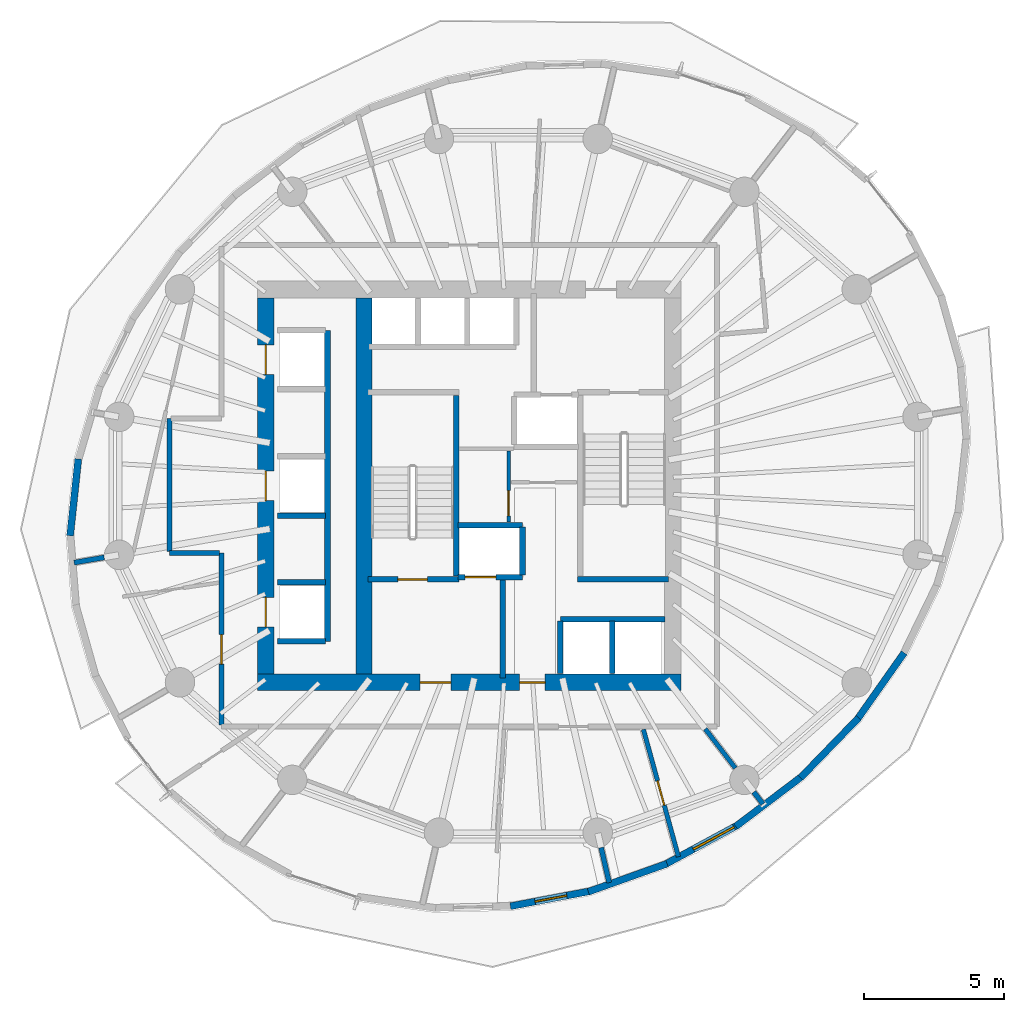
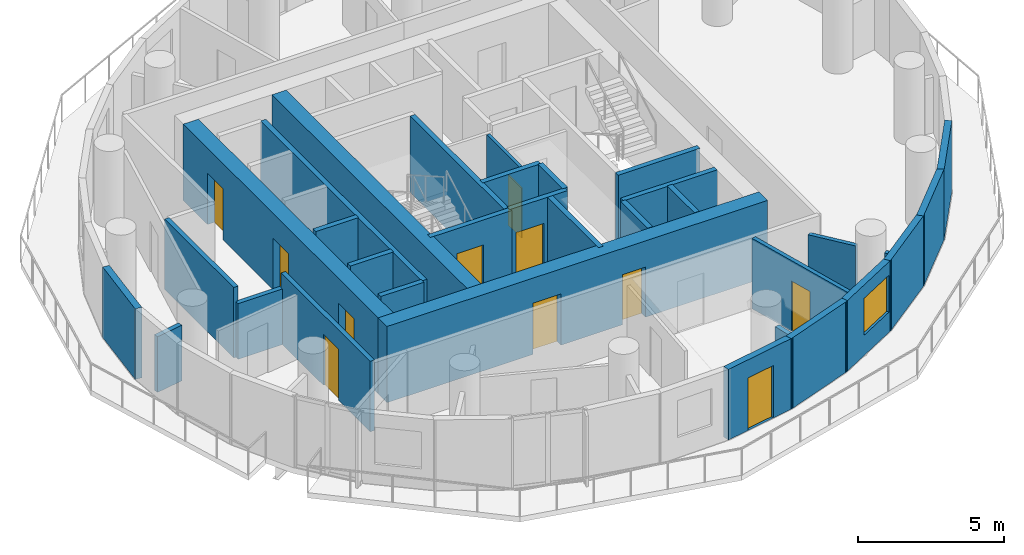
# One storey, part 5 of 12: 33 walls, 11 doors, 1 window, 12 openings.
"""IFC4 building model written with IfcOpenShell, lengths in metres."""

from ifc_helpers import new_model, si_unit, direction, frame, frame_2d, origin, place, context, subcontext, project, spatial, rectangle, extrude, material, layer, layer_set, type_object, element, fill, save


model = new_model("IFC4")

# Units and contexts
model_context = context("Model", 3, precision=1e-05, world=origin(), true_north=direction((0.0, 1.0)))
body_context = subcontext(model_context, "Body", "Model", "MODEL_VIEW")
ifc_project = project(units=[si_unit("LENGTHUNIT", "METRE"), si_unit("AREAUNIT", "SQUARE_METRE"), si_unit("VOLUMEUNIT", "CUBIC_METRE"), si_unit("PLANEANGLEUNIT", "RADIAN"), si_unit("MASSUNIT", "GRAM", prefix="KILO")], contexts=[model_context])

# Site, building, storey
site_placement = place(None, origin())
site = spatial("IfcSite", under=ifc_project, at=site_placement, CompositionType="ELEMENT")
building_placement = place(site_placement, origin())
building = spatial("IfcBuilding", under=site, at=building_placement, Name="Veldorim Arch Residences", CompositionType="ELEMENT")
storey_placement = place(building_placement, frame((0.0, 0.0, 132.9599609375)))
storey = spatial("IfcBuildingStorey", under=building, at=storey_placement, Name="L39", CompositionType="ELEMENT", Elevation=132.9599609375)

# Wall, opening, door
ifc_material_1 = material(Name="Acoustic Gypsum Board", Category="gypsum")
ifc_layer_1 = layer(ifc_material_1, 0.125, Name="Acoustic Stud Room Partition Wall 125")
ifc_layer_set_1 = layer_set([ifc_layer_1], Name="Acoustic Gypsum Board")
wall_type_1 = type_object("IfcWallType", Name="Acoustic Stud Room Partition Wall 125", PredefinedType="PARTITIONING", material=ifc_layer_set_1)
wall_1_placement = place(storey_placement, frame((31.64990234375, 22.719970703125, 0.0), z_axis=(0.0, 0.0, 1.0), x_axis=(0.0, 1.0, 0.0)))
wall_1 = element("IfcWall", 1, at=wall_1_placement, inside=storey, type_object=wall_type_1, Name="L39 interior wall WL-CA-L39-1", PredefinedType="PARTITIONING", context=body_context, shape_type="SweptSolid", body=[
    extrude(rectangle(XDim=2.52001953125, YDim=0.125, at=frame_2d((1.260009765625, 0.0))), origin(), (0.0, 0.0, 1.0), 2.955078125),
])
opening_1_placement = place(wall_1_placement, frame((0.2099609375, 0.0, 0.0)))
opening_1 = element("IfcOpeningElement", 2, at=opening_1_placement, cuts=wall_1, Name="Opening DR-SVC", PredefinedType="OPENING", context=body_context, shape_type="SweptSolid", body=[
    extrude(rectangle(XDim=0.89990234375, YDim=2.10009765625, at=frame_2d((0.449951171875, 1.050048828125))), frame((0.0, 0.072509765625, 0.0), z_axis=(0.0, -1.0, 0.0), x_axis=(1.0, 0.0, 0.0)), (0.0, 0.0, 1.0), 0.14501953125),
])
ifc_material_2 = material(Name="Fire-Rated Steel", Category="steel")
door_type_1 = type_object("IfcDoorType", Name="Riser, Shelter & Plant Room Rated Steel Door 900x2100", OperationType="SINGLE_SWING_LEFT", PredefinedType="DOOR", material=ifc_material_2)
door_1_placement = place(opening_1_placement, origin())
door_1 = element("IfcDoor", 3, at=door_1_placement, inside=storey, type_object=door_type_1, Name="L39 interior door DR-L39-CA1", OperationType="SINGLE_SWING_LEFT", OverallHeight=2.10009765625, OverallWidth=0.89990234375, PredefinedType="DOOR", context=body_context, shape_type="SweptSolid", body=[
    extrude(rectangle(XDim=0.89990234375, YDim=2.10009765625, at=frame_2d((0.449951171875, 1.050048828125))), frame((0.0, 0.02490234375, 0.0), z_axis=(0.0, -1.0, 0.0), x_axis=(1.0, 0.0, 0.0)), (0.0, 0.0, 1.0), 0.050048828125),
])
fill(opening_1, door_1)

# Walls
ifc_material_3 = material(Name="Lightweight Masonry Block & Gypsum", Category="masonry")
ifc_layer_2 = layer(ifc_material_3, 0.179931640625, Name="Compartment & Corridor Fire-Rated Party Wall 180")
ifc_layer_set_2 = layer_set([ifc_layer_2], Name="Lightweight Masonry Block & Gypsum")
wall_type_2 = type_object("IfcWallType", Name="Compartment & Corridor Fire-Rated Party Wall 180", PredefinedType="PARTITIONING", material=ifc_layer_set_2)
wall_2_placement = place(storey_placement, frame((17.24169921875, 21.44921875, 0.0), z_axis=(0.0, 0.0, 1.0), x_axis=(-0.985361391556, -0.170478526599, 0.0)))
element("IfcWall", 4, at=wall_2_placement, inside=storey, type_object=wall_type_2, Name="L39 interior wall WL-PIER-L39-09", PredefinedType="PARTITIONING", context=body_context, shape_type="SweptSolid", body=[
    extrude(rectangle(XDim=1.0869140625, YDim=0.179931640625, at=frame_2d((0.54345703125, 0.0))), origin(), (0.0, 0.0, 1.0), 2.3359375),
])
wall_3_placement = place(storey_placement, frame((34.950439453125, 11.11083984375, 0.0), z_axis=(0.0, 0.0, 1.0), x_axis=(0.223093561241, -0.974797036789, 0.0)))
element("IfcWall", 5, at=wall_3_placement, inside=storey, type_object=wall_type_2, Name="L39 interior wall WL-PIER-L39-13", PredefinedType="PARTITIONING", context=body_context, shape_type="SweptSolid", body=[
    extrude(rectangle(XDim=1.282470703125, YDim=0.179931640625, at=frame_2d((0.64111328125, 0.0))), origin(), (0.0, 0.0, 1.0), 2.3359375),
])
wall_4_placement = place(storey_placement, frame((40.387939453125, 13.091552734375, 0.0), z_axis=(0.0, 0.0, 1.0), x_axis=(0.609469486836, -0.792809526063, 0.0)))
element("IfcWall", 6, at=wall_4_placement, inside=storey, type_object=wall_type_2, Name="L39 interior wall WL-PIER-L39-14", PredefinedType="PARTITIONING", context=body_context, shape_type="SweptSolid", body=[
    extrude(rectangle(XDim=0.5380859375, YDim=0.179931640625, at=frame_2d((0.26904296875, 0.0))), origin(), (0.0, 0.0, 1.0), 2.3359375),
])

# Wall, opening, door
wall_5_placement = place(storey_placement, frame((21.419921875, 15.47998046875, 0.0), z_axis=(0.0, 0.0, 1.0), x_axis=(0.0, 1.0, 0.0)))
wall_5 = element("IfcWall", 7, at=wall_5_placement, inside=storey, type_object=wall_type_2, Name="L39 interior wall WL-RES-L39-006", PredefinedType="PARTITIONING", context=body_context, shape_type="SweptSolid", body=[
    extrude(rectangle(XDim=6.1201171875, YDim=0.179931640625, at=frame_2d((3.06005859375, 0.0))), origin(), (0.0, 0.0, 1.0), 2.955078125),
])
opening_2_placement = place(wall_5_placement, frame((2.166748046875, 0.0, 0.0)))
opening_2 = element("IfcOpeningElement", 8, at=opening_2_placement, cuts=wall_5, Name="Opening DR-FLT", PredefinedType="OPENING", context=body_context, shape_type="SweptSolid", body=[
    extrude(rectangle(XDim=1.050048828125, YDim=2.14990234375, at=frame_2d((0.52490234375, 1.074951171875))), frame((0.0, 0.099853515625, 0.0), z_axis=(0.0, -1.0, 0.0), x_axis=(1.0, 0.0, 0.0)), (0.0, 0.0, 1.0), 0.199951171875),
])
ifc_material_4 = material(Name="Fire-Rated Timber", Category="wood")
door_type_2 = type_object("IfcDoorType", Name="Apartment Entrance Solid-Core Fire Door 1050x2150", OperationType="SINGLE_SWING_LEFT", PredefinedType="DOOR", material=ifc_material_4)
door_2_placement = place(opening_2_placement, origin())
door_2 = element("IfcDoor", 9, at=door_2_placement, inside=storey, type_object=door_type_2, Name="L39 interior door DR-RES-L39-011", OperationType="SINGLE_SWING_LEFT", OverallHeight=2.14990234375, OverallWidth=1.050048828125, PredefinedType="DOOR", context=body_context, shape_type="SweptSolid", body=[
    extrude(rectangle(XDim=1.050048828125, YDim=2.14990234375, at=frame_2d((0.52490234375, 1.074951171875))), frame((0.0, 0.02490234375, 0.0), z_axis=(0.0, -1.0, 0.0), x_axis=(1.0, 0.0, 0.0)), (0.0, 0.0, 1.0), 0.050048828125),
])
fill(opening_2, door_2)

# Walls
wall_6_placement = place(storey_placement, frame((21.360107421875, 21.60009765625, 0.0), z_axis=(0.0, 0.0, 1.0), x_axis=(-1.0, 0.0, 0.0)))
element("IfcWall", 10, at=wall_6_placement, inside=storey, type_object=wall_type_2, Name="L39 interior wall WL-RES-L39-007", PredefinedType="PARTITIONING", context=body_context, shape_type="SweptSolid", body=[
    extrude(rectangle(XDim=1.7900390625, YDim=0.179931640625, at=frame_2d((0.89501953125, 0.0))), origin(), (0.0, 0.0, 1.0), 2.3359375),
])
wall_7_placement = place(storey_placement, frame((19.570068359375, 21.659912109375, 0.0), z_axis=(0.0, 0.0, 1.0), x_axis=(0.0, 1.0, 0.0)))
element("IfcWall", 11, at=wall_7_placement, inside=storey, type_object=wall_type_2, Name="L39 interior wall WL-RES-L39-008", PredefinedType="PARTITIONING", context=body_context, shape_type="SweptSolid", body=[
    extrude(rectangle(XDim=4.739990234375, YDim=0.179931640625, at=frame_2d((2.3701171875, 0.0))), origin(), (0.0, 0.0, 1.0), 2.955078125),
])
ifc_material_5 = material(Name="Concrete C50/60", Category="concrete")
ifc_layer_3 = layer(ifc_material_5, 0.199951171875, Name="Core Stair & Lift Shaft Enclosure Wall 200")
ifc_layer_set_3 = layer_set([ifc_layer_3], Name="Concrete C50/60")
wall_type_3 = type_object("IfcWallType", Name="Core Stair & Lift Shaft Enclosure Wall 200", PredefinedType="SHEAR", material=ifc_layer_set_3)
wall_8_placement = place(storey_placement, frame((29.7900390625, 20.780029296875, 0.0), z_axis=(0.0, 0.0, 1.0), x_axis=(0.0, 1.0, 0.0)))
element("IfcWall", 12, at=wall_8_placement, inside=storey, type_object=wall_type_3, Name="L39 shaft wall WL-SHF-L39-ST1-E", PredefinedType="SHEAR", context=body_context, shape_type="SweptSolid", body=[
    extrude(rectangle(XDim=6.43994140625, YDim=0.199951171875, at=frame_2d((3.219970703125, 0.0))), origin(), (0.0, 0.0, 1.0), 3.199951171875),
])

# Wall, opening, door
wall_9_placement = place(storey_placement, frame((26.64990234375, 20.669921875, 0.0), z_axis=(0.0, 0.0, 1.0), x_axis=(1.0, 0.0, 0.0)))
wall_9 = element("IfcWall", 13, at=wall_9_placement, inside=storey, type_object=wall_type_3, Name="L39 shaft wall WL-SHF-L39-ST1-S", PredefinedType="SHEAR", context=body_context, shape_type="SweptSolid", body=[
    extrude(rectangle(XDim=3.239990234375, YDim=0.199951171875, at=frame_2d((1.6201171875, 0.0))), origin(), (0.0, 0.0, 1.0), 3.199951171875),
])
opening_3_placement = place(wall_9_placement, frame((1.054931640625, 0.0, 0.0)))
opening_3 = element("IfcOpeningElement", 14, at=opening_3_placement, cuts=wall_9, Name="Opening DR-ST", PredefinedType="OPENING", context=body_context, shape_type="SweptSolid", body=[
    extrude(rectangle(XDim=1.050048828125, YDim=2.14990234375, at=frame_2d((0.52490234375, 1.074951171875))), frame((0.0, 0.10986328125, 0.0), z_axis=(0.0, -1.0, 0.0), x_axis=(1.0, 0.0, 0.0)), (0.0, 0.0, 1.0), 0.219970703125),
])
ifc_material_6 = material(Name="Fire-Rated Steel", Category="steel")
door_type_3 = type_object("IfcDoorType", Name="Exit Staircase Self-Closing Fire Door 1050x2150", OperationType="SINGLE_SWING_LEFT", PredefinedType="DOOR", material=ifc_material_6)
door_3_placement = place(opening_3_placement, origin())
door_3 = element("IfcDoor", 15, at=door_3_placement, inside=storey, type_object=door_type_3, Name="L39 interior door DR-L39-ST1", OperationType="SINGLE_SWING_LEFT", OverallHeight=2.14990234375, OverallWidth=1.050048828125, PredefinedType="DOOR", context=body_context, shape_type="SweptSolid", body=[
    extrude(rectangle(XDim=1.050048828125, YDim=2.14990234375, at=frame_2d((0.52490234375, 1.074951171875))), frame((0.0, 0.02490234375, 0.0), z_axis=(0.0, -1.0, 0.0), x_axis=(1.0, 0.0, 0.0)), (0.0, 0.0, 1.0), 0.050048828125),
])
fill(opening_3, door_3)

# Walls
wall_10_placement = place(storey_placement, frame((34.110107421875, 20.669921875, 0.0), z_axis=(0.0, 0.0, 1.0), x_axis=(1.0, 0.0, 0.0)))
element("IfcWall", 16, at=wall_10_placement, inside=storey, type_object=wall_type_3, Name="L39 shaft wall WL-SHF-L39-ST2-S", PredefinedType="SHEAR", context=body_context, shape_type="SweptSolid", body=[
    extrude(rectangle(XDim=3.239990234375, YDim=0.199951171875, at=frame_2d((1.6201171875, 0.0))), origin(), (0.0, 0.0, 1.0), 3.199951171875),
])
wall_11_placement = place(storey_placement, frame((31.449951171875, 17.14990234375, 0.0), z_axis=(0.0, 0.0, 1.0), x_axis=(0.0, 1.0, 0.0)))
element("IfcWall", 17, at=wall_11_placement, inside=storey, type_object=wall_type_3, Name="L39 shaft wall WL-FFL1-L39-E", PredefinedType="SHEAR", context=body_context, shape_type="SweptSolid", body=[
    extrude(rectangle(XDim=3.5, YDim=0.199951171875, at=frame_2d((1.75, 0.0))), origin(), (0.0, 0.0, 1.0), 3.199951171875),
])

# Wall, opening, door
wall_12_placement = place(storey_placement, frame((29.85009765625, 20.75, 0.0), z_axis=(0.0, 0.0, 1.0), x_axis=(1.0, 0.0, 0.0)))
wall_12 = element("IfcWall", 18, at=wall_12_placement, inside=storey, type_object=wall_type_3, Name="L39 shaft wall WL-FL01-L39-S", PredefinedType="SHEAR", context=body_context, shape_type="SweptSolid", body=[
    extrude(rectangle(XDim=2.2998046875, YDim=0.199951171875, at=frame_2d((1.14990234375, 0.0))), origin(), (0.0, 0.0, 1.0), 3.199951171875),
])
opening_4_placement = place(wall_12_placement, frame((0.25, 0.0, 0.0)))
opening_4 = element("IfcOpeningElement", 19, at=opening_4_placement, cuts=wall_12, Name="Opening LD-FF", PredefinedType="OPENING", context=body_context, shape_type="SweptSolid", body=[
    extrude(rectangle(XDim=1.10009765625, YDim=2.14990234375, at=frame_2d((0.550048828125, 1.074951171875))), frame((0.0, 0.10986328125, 0.0), z_axis=(0.0, -1.0, 0.0), x_axis=(1.0, 0.0, 0.0)), (0.0, 0.0, 1.0), 0.219970703125),
])
ifc_material_7 = material(Name="Stainless Steel", Category="steel")
door_type_4 = type_object("IfcDoorType", Name="Firefighting Lift Bi-Parting Sliding Landing Door 1100x2150", OperationType="DOUBLE_DOOR_SLIDING", PredefinedType="DOOR", material=ifc_material_7)
door_4_placement = place(opening_4_placement, origin())
door_4 = element("IfcDoor", 20, at=door_4_placement, inside=storey, type_object=door_type_4, Name="L39 lift landing door LD-L39-FL01", OperationType="DOUBLE_DOOR_SLIDING", OverallHeight=2.14990234375, OverallWidth=1.10009765625, PredefinedType="DOOR", context=body_context, shape_type="SweptSolid", body=[
    extrude(rectangle(XDim=1.10009765625, YDim=2.14990234375, at=frame_2d((0.550048828125, 1.074951171875))), frame((0.0, 0.02490234375, 0.0), z_axis=(0.0, -1.0, 0.0), x_axis=(1.0, 0.0, 0.0)), (0.0, 0.0, 1.0), 0.050048828125),
])
fill(opening_4, door_4)

# Walls
wall_13_placement = place(storey_placement, frame((29.85009765625, 22.60009765625, 0.0), z_axis=(0.0, 0.0, 1.0), x_axis=(1.0, 0.0, 0.0)))
element("IfcWall", 21, at=wall_13_placement, inside=storey, type_object=wall_type_3, Name="L39 shaft wall WL-FL01-L39-N", PredefinedType="SHEAR", context=body_context, shape_type="SweptSolid", body=[
    extrude(rectangle(XDim=2.2998046875, YDim=0.199951171875, at=frame_2d((1.14990234375, 0.0))), origin(), (0.0, 0.0, 1.0), 3.199951171875),
])
wall_14_placement = place(storey_placement, frame((32.14990234375, 20.820068359375, 0.0), z_axis=(0.0, 0.0, 1.0), x_axis=(0.0, 1.0, 0.0)))
element("IfcWall", 22, at=wall_14_placement, inside=storey, type_object=wall_type_3, Name="L39 shaft wall WL-FL01-L39-E", PredefinedType="SHEAR", context=body_context, shape_type="SweptSolid", body=[
    extrude(rectangle(XDim=1.7099609375, YDim=0.199951171875, at=frame_2d((0.85498046875, 0.0))), origin(), (0.0, 0.0, 1.0), 3.199951171875),
])
wall_15_placement = place(storey_placement, frame((25.199951171875, 18.4599609375, 0.0), z_axis=(0.0, 0.0, 1.0), x_axis=(0.0, 1.0, 0.0)))
element("IfcWall", 23, at=wall_15_placement, inside=storey, type_object=wall_type_3, Name="L39 shaft wall WL-B2-L39-E", PredefinedType="SHEAR", context=body_context, shape_type="SweptSolid", body=[
    extrude(rectangle(XDim=11.080078125, YDim=0.199951171875, at=frame_2d((5.5400390625, 0.0))), origin(), (0.0, 0.0, 1.0), 3.199951171875),
])
for number, where, z_axis, x_axis, name in (
    (24, (23.419921875, 18.4599609375, 0.0), (0.0, 0.0, 1.0), (1.0, 0.0, 0.0), "L39 shaft wall WL-B2-L39-S"),
    (25, (23.419921875, 20.56005859375, 0.0), (0.0, 0.0, 1.0), (1.0, 0.0, 0.0), "L39 shaft wall WL-B2-L39-D1A"),
    (26, (23.419921875, 22.93994140625, 0.0), (0.0, 0.0, 1.0), (1.0, 0.0, 0.0), "L39 shaft wall WL-B2-L39-D1B"),
):
    element("IfcWall", number, at=place(storey_placement, frame(where, z_axis=z_axis, x_axis=x_axis)), inside=storey, type_object=wall_type_3, Name=name, PredefinedType="SHEAR", context=body_context, shape_type="SweptSolid", body=[
        extrude(rectangle(XDim=1.7099609375, YDim=0.199951171875, at=frame_2d((0.85498046875, 0.0))), origin(), (0.0, 0.0, 1.0), 3.199951171875),
    ])
wall_16_placement = place(storey_placement, frame((33.5, 19.25, 0.0), z_axis=(0.0, 0.0, 1.0), x_axis=(1.0, 0.0, 0.0)))
element("IfcWall", 27, at=wall_16_placement, inside=storey, type_object=wall_type_3, Name="L39 shaft wall WL-OL-L39-N", PredefinedType="SHEAR", context=body_context, shape_type="SweptSolid", body=[
    extrude(rectangle(XDim=3.719970703125, YDim=0.199951171875, at=frame_2d((1.85986328125, 0.0))), origin(), (0.0, 0.0, 1.0), 3.199951171875),
])
for number, where, z_axis, x_axis, name in (
    (28, (33.5, 17.320068359375, 0.0), (0.0, 0.0, 1.0), (0.0, 1.0, 0.0), "L39 shaft wall WL-OL-L39-W"),
    (29, (35.35009765625, 17.320068359375, 0.0), (0.0, 0.0, 1.0), (0.0, 1.0, 0.0), "L39 shaft wall WL-OL-L39-D1"),
):
    element("IfcWall", number, at=place(storey_placement, frame(where, z_axis=z_axis, x_axis=x_axis)), inside=storey, type_object=wall_type_3, Name=name, PredefinedType="SHEAR", context=body_context, shape_type="SweptSolid", body=[
        extrude(rectangle(XDim=1.85986328125, YDim=0.199951171875, at=frame_2d((0.929931640625, 0.0))), origin(), (0.0, 0.0, 1.0), 3.199951171875),
    ])

# Wall, openings, doors
ifc_material_8 = material(Name="Concrete C50/60", Category="concrete")
ifc_layer_4 = layer(ifc_material_8, 0.60009765625, Name="Mid-Upper Central Core Shear Wall 600")
ifc_layer_set_4 = layer_set([ifc_layer_4], Name="Concrete C50/60")
wall_type_4 = type_object("IfcWallType", Name="Mid-Upper Central Core Shear Wall 600", PredefinedType="SHEAR", material=ifc_layer_set_4)
wall_17_placement = place(storey_placement, frame((22.699951171875, 17.0, 0.0), z_axis=(0.0, 0.0, 1.0), x_axis=(1.0, 0.0, 0.0)))
wall_17 = element("IfcWall", 30, at=wall_17_placement, inside=storey, type_object=wall_type_4, Name="L39 central core south shear wall", PredefinedType="SHEAR", context=body_context, shape_type="SweptSolid", body=[
    extrude(rectangle(XDim=15.10009765625, YDim=0.60009765625, at=frame_2d((7.550048828125, 0.0))), origin(), (0.0, 0.0, 1.0), 3.199951171875),
])
opening_5_placement = place(wall_17_placement, frame((5.800048828125, 0.0, 0.0)))
opening_5 = element("IfcOpeningElement", 31, at=opening_5_placement, cuts=wall_17, Name="Opening DR-FFL", PredefinedType="OPENING", context=body_context, shape_type="SweptSolid", body=[
    extrude(rectangle(XDim=1.10009765625, YDim=2.14990234375, at=frame_2d((0.550048828125, 1.074951171875))), frame((0.0, 0.31005859375, 0.0), z_axis=(0.0, -1.0, 0.0), x_axis=(1.0, 0.0, 0.0)), (0.0, 0.0, 1.0), 0.6201171875),
])
opening_6_placement = place(wall_17_placement, frame((9.35009765625, 0.0, 0.0)))
opening_6 = element("IfcOpeningElement", 32, at=opening_6_placement, cuts=wall_17, Name="Opening DR-SVC", PredefinedType="OPENING", context=body_context, shape_type="SweptSolid", body=[
    extrude(rectangle(XDim=0.89990234375, YDim=2.10009765625, at=frame_2d((0.449951171875, 1.050048828125))), frame((0.0, 0.31005859375, 0.0), z_axis=(0.0, -1.0, 0.0), x_axis=(1.0, 0.0, 0.0)), (0.0, 0.0, 1.0), 0.6201171875),
])
ifc_material_9 = material(Name="Fire-Rated Steel & Vision Glass", Category="steel")
door_type_5 = type_object("IfcDoorType", Name="Firefighting Lobby Smoke-Stop Fire Door 1100x2150", OperationType="SINGLE_SWING_LEFT", PredefinedType="DOOR", material=ifc_material_9)
door_5_placement = place(opening_5_placement, origin())
door_5 = element("IfcDoor", 33, at=door_5_placement, inside=storey, type_object=door_type_5, Name="L39 interior door DR-L39-FFL1", OperationType="SINGLE_SWING_RIGHT", OverallHeight=2.14990234375, OverallWidth=1.10009765625, PredefinedType="DOOR", context=body_context, shape_type="SweptSolid", body=[
    extrude(rectangle(XDim=1.10009765625, YDim=2.14990234375, at=frame_2d((0.550048828125, 1.074951171875))), frame((0.0, 0.02490234375, 0.0), z_axis=(0.0, -1.0, 0.0), x_axis=(1.0, 0.0, 0.0)), (0.0, 0.0, 1.0), 0.050048828125),
])
fill(opening_5, door_5)
door_6_placement = place(opening_6_placement, origin())
door_6 = element("IfcDoor", 34, at=door_6_placement, inside=storey, type_object=door_type_1, Name="L39 interior door DR-L39-COR-ANC", OperationType="SINGLE_SWING_LEFT", OverallHeight=2.10009765625, OverallWidth=0.89990234375, PredefinedType="DOOR", context=body_context, shape_type="SweptSolid", body=[
    extrude(rectangle(XDim=0.89990234375, YDim=2.10009765625, at=frame_2d((0.449951171875, 1.050048828125))), frame((0.0, 0.02490234375, 0.0), z_axis=(0.0, -1.0, 0.0), x_axis=(1.0, 0.0, 0.0)), (0.0, 0.0, 1.0), 0.050048828125),
])
fill(opening_6, door_6)

wall_18_placement = place(storey_placement, frame((23.0, 17.300048828125, 0.0), z_axis=(0.0, 0.0, 1.0), x_axis=(0.0, 1.0, 0.0)))
wall_18 = element("IfcWall", 35, at=wall_18_placement, inside=storey, type_object=wall_type_4, Name="L39 central core west shear wall", PredefinedType="SHEAR", context=body_context, shape_type="SweptSolid", body=[
    extrude(rectangle(XDim=13.39990234375, YDim=0.60009765625, at=frame_2d((6.699951171875, 0.0))), origin(), (0.0, 0.0, 1.0), 3.199951171875),
])
opening_7_placement = place(wall_18_placement, frame((1.675048828125, 0.0, 0.0)))
opening_7 = element("IfcOpeningElement", 36, at=opening_7_placement, cuts=wall_18, Name="Opening LD-PS", PredefinedType="OPENING", context=body_context, shape_type="SweptSolid", body=[
    extrude(rectangle(XDim=1.050048828125, YDim=2.14990234375, at=frame_2d((0.52490234375, 1.074951171875))), frame((0.0, 0.31005859375, 0.0), z_axis=(0.0, -1.0, 0.0), x_axis=(1.0, 0.0, 0.0)), (0.0, 0.0, 1.0), 0.6201171875),
])
opening_8_placement = place(wall_18_placement, frame((6.175048828125, 0.0, 0.0)))
opening_8 = element("IfcOpeningElement", 37, at=opening_8_placement, cuts=wall_18, Name="Opening LD-PS", PredefinedType="OPENING", context=body_context, shape_type="SweptSolid", body=[
    extrude(rectangle(XDim=1.050048828125, YDim=2.14990234375, at=frame_2d((0.52490234375, 1.074951171875))), frame((0.0, 0.31005859375, 0.0), z_axis=(0.0, -1.0, 0.0), x_axis=(1.0, 0.0, 0.0)), (0.0, 0.0, 1.0), 0.6201171875),
])
opening_9_placement = place(wall_18_placement, frame((10.675048828125, 0.0, 0.0)))
opening_9 = element("IfcOpeningElement", 38, at=opening_9_placement, cuts=wall_18, Name="Opening LD-PS", PredefinedType="OPENING", context=body_context, shape_type="SweptSolid", body=[
    extrude(rectangle(XDim=1.050048828125, YDim=2.14990234375, at=frame_2d((0.52490234375, 1.074951171875))), frame((0.0, 0.31005859375, 0.0), z_axis=(0.0, -1.0, 0.0), x_axis=(1.0, 0.0, 0.0)), (0.0, 0.0, 1.0), 0.6201171875),
])
ifc_material_10 = material(Name="Stainless Steel", Category="steel")
door_type_6 = type_object("IfcDoorType", Name="Passenger Lift Bi-Parting Sliding Landing Door 1050x2150", OperationType="DOUBLE_DOOR_SLIDING", PredefinedType="DOOR", material=ifc_material_10)
door_7_placement = place(opening_7_placement, origin())
door_7 = element("IfcDoor", 39, at=door_7_placement, inside=storey, type_object=door_type_6, Name="L39 lift landing door LD-L39-PL-05", OperationType="DOUBLE_DOOR_SLIDING", OverallHeight=2.14990234375, OverallWidth=1.050048828125, PredefinedType="DOOR", context=body_context, shape_type="SweptSolid", body=[
    extrude(rectangle(XDim=1.050048828125, YDim=2.14990234375, at=frame_2d((0.52490234375, 1.074951171875))), frame((0.0, 0.02490234375, 0.0), z_axis=(0.0, -1.0, 0.0), x_axis=(1.0, 0.0, 0.0)), (0.0, 0.0, 1.0), 0.050048828125),
])
fill(opening_7, door_7)
door_8_placement = place(opening_8_placement, origin())
door_8 = element("IfcDoor", 40, at=door_8_placement, inside=storey, type_object=door_type_6, Name="L39 lift landing door LD-L39-PL-06", OperationType="DOUBLE_DOOR_SLIDING", OverallHeight=2.14990234375, OverallWidth=1.050048828125, PredefinedType="DOOR", context=body_context, shape_type="SweptSolid", body=[
    extrude(rectangle(XDim=1.050048828125, YDim=2.14990234375, at=frame_2d((0.52490234375, 1.074951171875))), frame((0.0, 0.02490234375, 0.0), z_axis=(0.0, -1.0, 0.0), x_axis=(1.0, 0.0, 0.0)), (0.0, 0.0, 1.0), 0.050048828125),
])
fill(opening_8, door_8)
door_9_placement = place(opening_9_placement, origin())
door_9 = element("IfcDoor", 41, at=door_9_placement, inside=storey, type_object=door_type_6, Name="L39 lift landing door LD-L39-PL-07", OperationType="DOUBLE_DOOR_SLIDING", OverallHeight=2.14990234375, OverallWidth=1.050048828125, PredefinedType="DOOR", context=body_context, shape_type="SweptSolid", body=[
    extrude(rectangle(XDim=1.050048828125, YDim=2.14990234375, at=frame_2d((0.52490234375, 1.074951171875))), frame((0.0, 0.02490234375, 0.0), z_axis=(0.0, -1.0, 0.0), x_axis=(1.0, 0.0, 0.0)), (0.0, 0.0, 1.0), 0.050048828125),
])
fill(opening_9, door_9)

# Wall
ifc_material_11 = material(Name="Precast concrete C40/50", Category="concrete")
ifc_layer_5 = layer(ifc_material_11, 0.25, Name="Tower Terracotta Spandrel & Pier Wall 250")
ifc_layer_set_5 = layer_set([ifc_layer_5], Name="Precast concrete C40/50")
wall_type_5 = type_object("IfcWallType", Name="Tower Terracotta Spandrel & Pier Wall 250", PredefinedType="SOLIDWALL", material=ifc_layer_set_5)
wall_19_placement = place(storey_placement, frame((16.02880859375, 22.22119140625, 0.0), z_axis=(0.0, 0.0, 1.0), x_axis=(0.106010014212, 0.994365062181, 0.0)))
element("IfcWall", 42, at=wall_19_placement, inside=storey, type_object=wall_type_5, Name="L39 terracotta facade wall 15", PredefinedType="SOLIDWALL", context=body_context, shape_type="SweptSolid", body=[
    extrude(rectangle(XDim=2.752197265625, YDim=0.25, at=frame_2d((1.3759765625, 0.0))), origin(), (0.0, 0.0, 1.0), 2.9599609375),
])

# Wall, opening, door
wall_20_placement = place(storey_placement, frame((34.60107421875, 9.56640625, 0.0), z_axis=(0.0, 0.0, 1.0), x_axis=(-0.982637070109, -0.185538105108, 0.0)))
wall_20 = element("IfcWall", 43, at=wall_20_placement, inside=storey, type_object=wall_type_5, Name="L39 terracotta facade wall 25", PredefinedType="SOLIDWALL", context=body_context, shape_type="SweptSolid", body=[
    extrude(rectangle(XDim=2.93701171875, YDim=0.25, at=frame_2d((1.468505859375, 0.0))), origin(), (0.0, 0.0, 1.0), 2.9599609375),
])
opening_10_placement = place(wall_20_placement, frame((0.89306640625, 0.0, 0.0)))
opening_10 = element("IfcOpeningElement", 44, at=opening_10_placement, cuts=wall_20, Name="Opening BL-DR", PredefinedType="OPENING", context=body_context, shape_type="SweptSolid", body=[
    extrude(rectangle(XDim=1.14990234375, YDim=2.199951171875, at=frame_2d((0.574951171875, 1.10009765625))), frame((0.0, 0.135009765625, 0.0), z_axis=(0.0, -1.0, 0.0), x_axis=(1.0, 0.0, 0.0)), (0.0, 0.0, 1.0), 0.27001953125),
])
ifc_material_12 = material(Name="Aluminium & Low-E Glass", Category="aluminium")
door_type_7 = type_object("IfcDoorType", Name="Glazed Planted Balcony Door 1150x2200", OperationType="SINGLE_SWING_LEFT", PredefinedType="DOOR", material=ifc_material_12)
door_10_placement = place(opening_10_placement, origin())
door_10 = element("IfcDoor", 45, at=door_10_placement, inside=storey, type_object=door_type_7, Name="L39 glazed outdoor terrace door BALC-2", OperationType="SINGLE_SWING_LEFT", OverallHeight=2.199951171875, OverallWidth=1.14990234375, PredefinedType="DOOR", context=body_context, shape_type="SweptSolid", body=[
    extrude(rectangle(XDim=1.14990234375, YDim=2.199951171875, at=frame_2d((0.574951171875, 1.10009765625))), frame((0.0, 0.02490234375, 0.0), z_axis=(0.0, -1.0, 0.0), x_axis=(1.0, 0.0, 0.0)), (0.0, 0.0, 1.0), 0.050048828125),
])
fill(opening_10, door_10)

# Wall
wall_21_placement = place(storey_placement, frame((37.29931640625, 10.538818359375, 0.0), z_axis=(0.0, 0.0, 1.0), x_axis=(-0.94175304307, -0.33630522724, 0.0)))
element("IfcWall", 46, at=wall_21_placement, inside=storey, type_object=wall_type_5, Name="L39 terracotta facade wall 26", PredefinedType="SOLIDWALL", context=body_context, shape_type="SweptSolid", body=[
    extrude(rectangle(XDim=2.97705078125, YDim=0.25, at=frame_2d((1.488525390625, 0.0))), origin(), (0.0, 0.0, 1.0), 2.9599609375),
])

# Wall, opening, window
wall_22_placement = place(storey_placement, frame((39.837158203125, 11.9208984375, 0.0), z_axis=(0.0, 0.0, 1.0), x_axis=(-0.879567466611, -0.475774181393, 0.0)))
wall_22 = element("IfcWall", 47, at=wall_22_placement, inside=storey, type_object=wall_type_5, Name="L39 terracotta facade wall 27", PredefinedType="SOLIDWALL", context=body_context, shape_type="SweptSolid", body=[
    extrude(rectangle(XDim=2.998291015625, YDim=0.25, at=frame_2d((1.4990234375, 0.0))), origin(), (0.0, 0.0, 1.0), 2.9599609375),
])
opening_11_placement = place(wall_22_placement, frame((0.175048828125, 0.0, 0.85009765625)))
opening_11 = element("IfcOpeningElement", 48, at=opening_11_placement, cuts=wall_22, Name="Opening WN-03", PredefinedType="OPENING", context=body_context, shape_type="SweptSolid", body=[
    extrude(rectangle(XDim=1.64990234375, YDim=1.550048828125, at=frame_2d((0.824951171875, 0.77490234375))), frame((0.0, 0.135009765625, 0.0), z_axis=(0.0, -1.0, 0.0), x_axis=(1.0, 0.0, 0.0)), (0.0, 0.0, 1.0), 0.27001953125),
])
ifc_material_13 = material(Name="Laminated Low-E Glass", Category="glass")
window_type = type_object("IfcWindowType", Name="Residential Wide Window 1650x1550", PartitioningType="SINGLE_PANEL", PredefinedType="WINDOW", material=ifc_material_13)
window_placement = place(opening_11_placement, origin())
window = element("IfcWindow", 49, at=window_placement, inside=storey, type_object=window_type, Name="L39 solar-control facade window 27", OverallHeight=1.550048828125, OverallWidth=1.64990234375, PartitioningType="SINGLE_PANEL", PredefinedType="WINDOW", context=body_context, shape_type="SweptSolid", body=[
    extrude(rectangle(XDim=1.64990234375, YDim=1.550048828125, at=frame_2d((0.824951171875, 0.77490234375))), frame((0.0, 0.030029296875, 0.0), z_axis=(0.0, -1.0, 0.0), x_axis=(1.0, 0.0, 0.0)), (0.0, 0.0, 1.0), 0.06005859375),
])
fill(opening_11, window)

# Walls
wall_23_placement = place(storey_placement, frame((42.136962890625, 13.6708984375, 0.0), z_axis=(0.0, 0.0, 1.0), x_axis=(-0.797511213298, -0.603304122863, 0.0)))
element("IfcWall", 50, at=wall_23_placement, inside=storey, type_object=wall_type_5, Name="L39 terracotta facade wall 28", PredefinedType="SOLIDWALL", context=body_context, shape_type="SweptSolid", body=[
    extrude(rectangle(XDim=2.998291015625, YDim=0.25, at=frame_2d((1.4990234375, 0.0))), origin(), (0.0, 0.0, 1.0), 2.9599609375),
])
wall_24_placement = place(storey_placement, frame((44.128173828125, 15.73583984375, 0.0), z_axis=(0.0, 0.0, 1.0), x_axis=(-0.696240605886, -0.717808483312, 0.0)))
element("IfcWall", 51, at=wall_24_placement, inside=storey, type_object=wall_type_5, Name="L39 terracotta facade wall 29", PredefinedType="SOLIDWALL", context=body_context, shape_type="SweptSolid", body=[
    extrude(rectangle(XDim=2.97705078125, YDim=0.25, at=frame_2d((1.488525390625, 0.0))), origin(), (0.0, 0.0, 1.0), 2.9599609375),
])
wall_25_placement = place(storey_placement, frame((45.75, 18.052490234375, 0.0), z_axis=(0.0, 0.0, 1.0), x_axis=(-0.576020449187, -0.817435283137, 0.0)))
element("IfcWall", 52, at=wall_25_placement, inside=storey, type_object=wall_type_5, Name="L39 terracotta facade wall 30", PredefinedType="SOLIDWALL", context=body_context, shape_type="SweptSolid", body=[
    extrude(rectangle(XDim=2.936767578125, YDim=0.25, at=frame_2d((1.46826171875, 0.0))), origin(), (0.0, 0.0, 1.0), 2.9599609375),
])
ifc_material_14 = material(Name="Concrete C50/60", Category="concrete")
ifc_layer_6 = layer(ifc_material_14, 0.56005859375, Name="Upper Internal Core Shear Web Wall 560")
ifc_layer_set_6 = layer_set([ifc_layer_6], Name="Concrete C50/60")
wall_type_6 = type_object("IfcWallType", Name="Upper Internal Core Shear Web Wall 560", PredefinedType="SHEAR", material=ifc_layer_set_6)
wall_26_placement = place(storey_placement, frame((26.5, 17.300048828125, 0.0), z_axis=(0.0, 0.0, 1.0), x_axis=(0.0, 1.0, 0.0)))
element("IfcWall", 53, at=wall_26_placement, inside=storey, type_object=wall_type_6, Name="L39 core west internal shear web", PredefinedType="SHEAR", context=body_context, shape_type="SweptSolid", body=[
    extrude(rectangle(XDim=13.39990234375, YDim=0.56005859375, at=frame_2d((6.699951171875, 0.0))), origin(), (0.0, 0.0, 1.0), 3.199951171875),
])

# Wall, opening, door
ifc_material_15 = material(Name="Moisture-Resistant Gypsum & Stud", Category="gypsum")
ifc_layer_7 = layer(ifc_material_15, 0.159912109375, Name="Wet-Area Moisture-Resistant Plumbing Wall 160")
ifc_layer_set_7 = layer_set([ifc_layer_7], Name="Moisture-Resistant Gypsum & Stud")
wall_type_7 = type_object("IfcWallType", Name="Wet-Area Moisture-Resistant Plumbing Wall 160", PredefinedType="PLUMBINGWALL", material=ifc_layer_set_7)
wall_27_placement = place(storey_placement, frame((36.454833984375, 15.323486328125, 0.0), z_axis=(0.0, 0.0, 1.0), x_axis=(0.265393905211, -0.964140070258, 0.0)))
wall_27 = element("IfcWall", 54, at=wall_27_placement, inside=storey, type_object=wall_type_7, Name="L39 interior wall WL-RES-L39-011", PredefinedType="PLUMBINGWALL", context=body_context, shape_type="SweptSolid", body=[
    extrude(rectangle(XDim=4.708251953125, YDim=0.159912109375, at=frame_2d((2.35400390625, 0.0))), origin(), (0.0, 0.0, 1.0), 2.955078125),
])
opening_12_placement = place(wall_27_placement, frame((1.904052734375, 0.0, 0.0)))
opening_12 = element("IfcOpeningElement", 55, at=opening_12_placement, cuts=wall_27, Name="Opening DR-WC", PredefinedType="OPENING", context=body_context, shape_type="SweptSolid", body=[
    extrude(rectangle(XDim=0.89990234375, YDim=2.10009765625, at=frame_2d((0.449951171875, 1.050048828125))), frame((0.0, 0.08984375, 0.0), z_axis=(0.0, -1.0, 0.0), x_axis=(1.0, 0.0, 0.0)), (0.0, 0.0, 1.0), 0.179931640625),
])
ifc_material_16 = material(Name="Laminate Timber", Category="wood")
door_type_8 = type_object("IfcDoorType", Name="Bathroom & Accessible WC Moisture-Sealed Door 900x2100", OperationType="SINGLE_SWING_LEFT", PredefinedType="DOOR", material=ifc_material_16)
door_11_placement = place(opening_12_placement, origin())
door_11 = element("IfcDoor", 56, at=door_11_placement, inside=storey, type_object=door_type_8, Name="L39 interior door DR-RES-L39-002", OperationType="SINGLE_SWING_RIGHT", OverallHeight=2.10009765625, OverallWidth=0.89990234375, PredefinedType="DOOR", context=body_context, shape_type="SweptSolid", body=[
    extrude(rectangle(XDim=0.89990234375, YDim=2.10009765625, at=frame_2d((0.449951171875, 1.050048828125))), frame((0.0, 0.02490234375, 0.0), z_axis=(0.0, -1.0, 0.0), x_axis=(1.0, 0.0, 0.0)), (0.0, 0.0, 1.0), 0.050048828125),
])
fill(opening_12, door_11)

# Wall
wall_28_placement = place(storey_placement, frame((38.658447265625, 15.3408203125, 0.0), z_axis=(0.0, 0.0, 1.0), x_axis=(0.609536601946, -0.792757927042, 0.0)))
element("IfcWall", 57, at=wall_28_placement, inside=storey, type_object=wall_type_7, Name="L39 interior wall WL-RES-L39-013", PredefinedType="PLUMBINGWALL", context=body_context, shape_type="SweptSolid", body=[
    extrude(rectangle(XDim=1.761474609375, YDim=0.159912109375, at=frame_2d((0.880859375, 0.0))), origin(), (0.0, 0.0, 1.0), 2.3359375),
])

save(model, "model.ifc")
